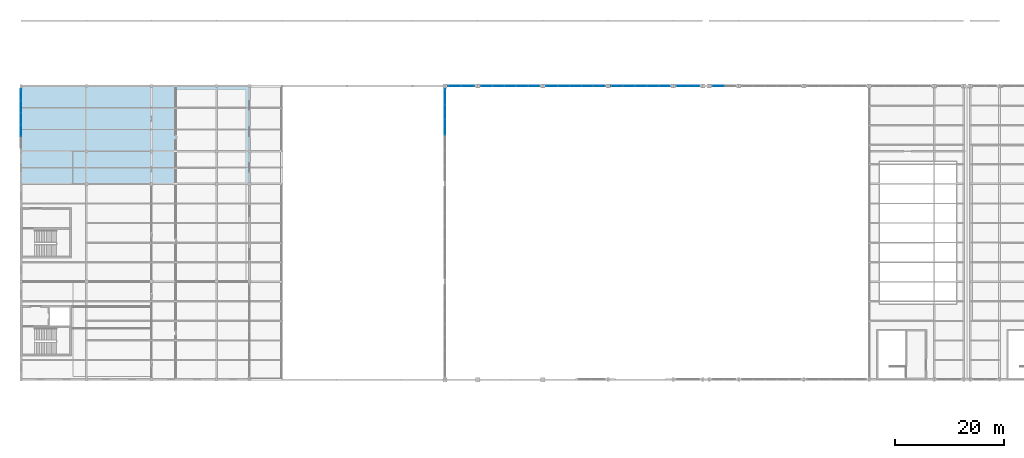
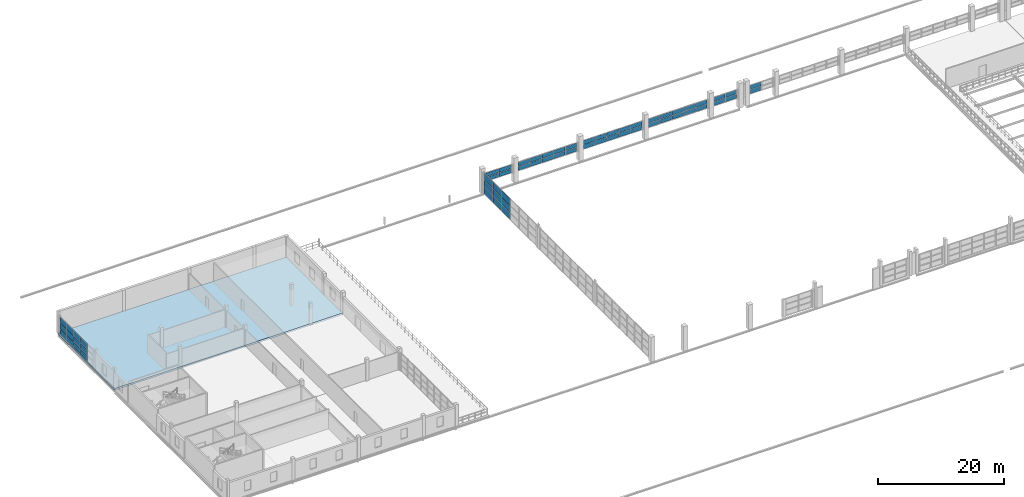
# One storey, part 74 of 86: 61 plates, 1 slab, 8 elements without a shape of their own.
"""IFC4 building model written with IfcOpenShell, lengths in metres."""

from ifc_helpers import new_model, si_unit, direction, frame, origin, origin_2d, place, context, subcontext, project, spatial, polyline, rectangle, outline, extrude, material, layer, layer_set, type_object, element, aggregate, save


model = new_model("IFC4")

# Units and contexts
model_context = context("Model", 3, precision=1e-05, world=origin(), true_north=direction((0.0, 1.0)))
body_context = subcontext(model_context, "Body", "Model", "MODEL_VIEW")
ifc_project = project(units=[si_unit("LENGTHUNIT", "METRE"), si_unit("AREAUNIT", "SQUARE_METRE"), si_unit("VOLUMEUNIT", "CUBIC_METRE"), si_unit("PLANEANGLEUNIT", "RADIAN"), si_unit("MASSUNIT", "GRAM", prefix="KILO")], contexts=[model_context])

# Site, building, storey
site_placement = place(None, origin())
site = spatial("IfcSite", under=ifc_project, at=site_placement, CompositionType="ELEMENT")
building_placement = place(site_placement, origin())
building = spatial("IfcBuilding", under=site, at=building_placement, Name="Zilviju Railside Exhibition Hall", CompositionType="ELEMENT")
storey_placement = place(building_placement, frame((0.0, 0.0, 12.60009765625)))
storey = spatial("IfcBuildingStorey", under=building, at=storey_placement, Name="L04", CompositionType="ELEMENT", Elevation=12.60009765625)

# Curtain wall, plates
ifc_material_1 = material(Name="Thermally broken aluminium-steel triple-glazed curtain wall", Category="steel")
ifc_layer_1 = layer(ifc_material_1, 0.179931640625)
ifc_layer_set_1 = layer_set([ifc_layer_1], Name="Thermally broken aluminium-steel triple-glazed curtain wall")
curtain_wall_type_1 = type_object("IfcCurtainWallType", Name="CW-BAY-05", PredefinedType="USERDEFINED", material=ifc_layer_set_1)
curtain_wall_1_placement = place(storey_placement, origin())
curtain_wall_1 = element("IfcCurtainWall", 1, at=curtain_wall_1_placement, inside=storey, type_object=curtain_wall_type_1, Name="North Hall Clerestory Curtain Wall L04 (127..132)", ObjectType="GLAZED CURTAIN WALL", PredefinedType="USERDEFINED")
ifc_material_2 = material(Name="Laminated acoustic double-glazed porch unit", Category="glass")
ifc_layer_2 = layer(ifc_material_2, 0.031982421875)
ifc_layer_set_2 = layer_set([ifc_layer_2], Name="Laminated acoustic double-glazed porch unit")
plate_type_1 = type_object("IfcPlateType", Name="CWP-IGU-32", PredefinedType="CURTAIN_PANEL", material=ifc_layer_set_2)
plate_1_placement = place(storey_placement, frame((128.239990234375, 138.0, 1.85986328125), z_axis=(0.0, 0.0, 1.0), x_axis=(1.0, 0.0, 0.0)))
plate_1 = element("IfcPlate", 2, at=plate_1_placement, type_object=plate_type_1, Name="CW-05 panel 1.1", PredefinedType="CURTAIN_PANEL", context=body_context, shape_type="SweptSolid", body=[
    extrude(rectangle(XDim=2.06005859375, YDim=0.031982421875, at=origin_2d()), origin(), (0.0, 0.0, 1.0), 0.784912109375),
])
plate_2_placement = place(storey_placement, frame((128.239990234375, 138.0, 2.705078125), z_axis=(0.0, 0.0, 1.0), x_axis=(1.0, 0.0, 0.0)))
plate_2 = element("IfcPlate", 3, at=plate_2_placement, type_object=plate_type_1, Name="CW-05 panel 1.2", PredefinedType="CURTAIN_PANEL", context=body_context, shape_type="SweptSolid", body=[
    extrude(rectangle(XDim=2.06005859375, YDim=0.031982421875, at=origin_2d()), origin(), (0.0, 0.0, 1.0), 0.784912109375),
])
aggregate(curtain_wall_1, [plate_1, plate_2])

ifc_layer_3 = layer(ifc_material_1, 0.179931640625)
ifc_layer_set_3 = layer_set([ifc_layer_3], Name="Thermally broken aluminium-steel triple-glazed curtain wall")
curtain_wall_type_2 = type_object("IfcCurtainWallType", Name="CW-BAY-04", PredefinedType="USERDEFINED", material=ifc_layer_set_3)
curtain_wall_2_placement = place(storey_placement, origin())
curtain_wall_2 = element("IfcCurtainWall", 4, at=curtain_wall_2_placement, inside=storey, type_object=curtain_wall_type_2, Name="North Hall Clerestory Curtain Wall L04 (120..125)", ObjectType="GLAZED CURTAIN WALL", PredefinedType="USERDEFINED")
ifc_material_3 = material(Name="Triple-glazed solar-control glass unit", Category="glass")
ifc_layer_4 = layer(ifc_material_3, 0.0380859375)
ifc_layer_set_4 = layer_set([ifc_layer_4], Name="Triple-glazed solar-control glass unit")
plate_type_2 = type_object("IfcPlateType", Name="CWP-IGU-38", PredefinedType="CURTAIN_PANEL", material=ifc_layer_set_4)
plate_3_placement = place(storey_placement, frame((121.641357421875, 138.0, 1.86474609375), z_axis=(0.0, 0.0, 1.0), x_axis=(1.0, 0.0, 0.0)))
plate_3 = element("IfcPlate", 5, at=plate_3_placement, type_object=plate_type_2, Name="CW-04 panel 1.1", PredefinedType="CURTAIN_PANEL", context=body_context, shape_type="SweptSolid", body=[
    extrude(rectangle(XDim=2.052490234375, YDim=0.0380859375, at=origin_2d()), origin(), (0.0, 0.0, 1.0), 0.777587890625),
])
plate_4_placement = place(storey_placement, frame((121.641357421875, 138.0, 2.70751953125), z_axis=(0.0, 0.0, 1.0), x_axis=(1.0, 0.0, 0.0)))
plate_4 = element("IfcPlate", 6, at=plate_4_placement, type_object=plate_type_2, Name="CW-04 panel 1.2", PredefinedType="CURTAIN_PANEL", context=body_context, shape_type="SweptSolid", body=[
    extrude(rectangle(XDim=2.052490234375, YDim=0.0380859375, at=origin_2d()), origin(), (0.0, 0.0, 1.0), 0.777587890625),
])
plate_5_placement = place(storey_placement, frame((123.7587890625, 138.0, 1.86474609375), z_axis=(0.0, 0.0, 1.0), x_axis=(1.0, 0.0, 0.0)))
plate_5 = element("IfcPlate", 7, at=plate_5_placement, type_object=plate_type_2, Name="CW-04 panel 2.1", PredefinedType="CURTAIN_PANEL", context=body_context, shape_type="SweptSolid", body=[
    extrude(rectangle(XDim=2.052490234375, YDim=0.0380859375, at=origin_2d()), origin(), (0.0, 0.0, 1.0), 0.777587890625),
])
plate_6_placement = place(storey_placement, frame((123.7587890625, 138.0, 2.70751953125), z_axis=(0.0, 0.0, 1.0), x_axis=(1.0, 0.0, 0.0)))
plate_6 = element("IfcPlate", 8, at=plate_6_placement, type_object=plate_type_2, Name="CW-04 panel 2.2", PredefinedType="CURTAIN_PANEL", context=body_context, shape_type="SweptSolid", body=[
    extrude(rectangle(XDim=2.052490234375, YDim=0.0380859375, at=origin_2d()), origin(), (0.0, 0.0, 1.0), 0.777587890625),
])
aggregate(curtain_wall_2, [plate_3, plate_4, plate_5, plate_6])

ifc_layer_5 = layer(ifc_material_1, 0.179931640625)
ifc_layer_set_5 = layer_set([ifc_layer_5], Name="Thermally broken aluminium-steel triple-glazed curtain wall")
curtain_wall_type_3 = type_object("IfcCurtainWallType", Name="CW-BAY-02", PredefinedType="USERDEFINED", material=ifc_layer_set_5)
curtain_wall_3_placement = place(storey_placement, origin())
curtain_wall_3 = element("IfcCurtainWall", 9, at=curtain_wall_3_placement, inside=storey, type_object=curtain_wall_type_3, Name="North Hall Clerestory Curtain Wall L04 (96..108)", ObjectType="GLAZED CURTAIN WALL", PredefinedType="USERDEFINED")
ifc_material_4 = material(Name="Triple-glazed low-E argon insulating glass unit", Category="glass")
ifc_layer_6 = layer(ifc_material_4, 0.0439453125)
ifc_layer_set_6 = layer_set([ifc_layer_6], Name="Triple-glazed low-E argon insulating glass unit")
plate_type_3 = type_object("IfcPlateType", Name="CWP-IGU-44", PredefinedType="CURTAIN_PANEL", material=ifc_layer_set_6)
plate_7_placement = place(storey_placement, frame((97.65380859375, 138.0, 1.85498046875), z_axis=(0.0, 0.0, 1.0), x_axis=(1.0, 0.0, 0.0)))
plate_7 = element("IfcPlate", 10, at=plate_7_placement, type_object=plate_type_3, Name="CW-02 panel 1.1", PredefinedType="CURTAIN_PANEL", context=body_context, shape_type="SweptSolid", body=[
    extrude(rectangle(XDim=2.097412109375, YDim=0.0439453125, at=origin_2d()), origin(), (0.0, 0.0, 1.0), 0.79248046875),
])
plate_8_placement = place(storey_placement, frame((97.65380859375, 138.0, 2.702392578125), z_axis=(0.0, 0.0, 1.0), x_axis=(1.0, 0.0, 0.0)))
plate_8 = element("IfcPlate", 11, at=plate_8_placement, type_object=plate_type_3, Name="CW-02 panel 1.2", PredefinedType="CURTAIN_PANEL", context=body_context, shape_type="SweptSolid", body=[
    extrude(rectangle(XDim=2.097412109375, YDim=0.0439453125, at=origin_2d()), origin(), (0.0, 0.0, 1.0), 0.79248046875),
])
plate_9_placement = place(storey_placement, frame((99.820068359375, 138.0, 1.85498046875), z_axis=(0.0, 0.0, 1.0), x_axis=(1.0, 0.0, 0.0)))
plate_9 = element("IfcPlate", 12, at=plate_9_placement, type_object=plate_type_3, Name="CW-02 panel 2.1", PredefinedType="CURTAIN_PANEL", context=body_context, shape_type="SweptSolid", body=[
    extrude(rectangle(XDim=2.125, YDim=0.0439453125, at=origin_2d()), origin(), (0.0, 0.0, 1.0), 0.79248046875),
])
plate_10_placement = place(storey_placement, frame((99.820068359375, 138.0, 2.702392578125), z_axis=(0.0, 0.0, 1.0), x_axis=(1.0, 0.0, 0.0)))
plate_10 = element("IfcPlate", 13, at=plate_10_placement, type_object=plate_type_3, Name="CW-02 panel 2.2", PredefinedType="CURTAIN_PANEL", context=body_context, shape_type="SweptSolid", body=[
    extrude(rectangle(XDim=2.125, YDim=0.0439453125, at=origin_2d()), origin(), (0.0, 0.0, 1.0), 0.79248046875),
])
plate_11_placement = place(storey_placement, frame((102.0, 138.0, 1.85498046875), z_axis=(0.0, 0.0, 1.0), x_axis=(1.0, 0.0, 0.0)))
plate_11 = element("IfcPlate", 14, at=plate_11_placement, type_object=plate_type_3, Name="CW-02 panel 3.1", PredefinedType="CURTAIN_PANEL", context=body_context, shape_type="SweptSolid", body=[
    extrude(rectangle(XDim=2.125, YDim=0.0439453125, at=origin_2d()), origin(), (0.0, 0.0, 1.0), 0.79248046875),
])
plate_12_placement = place(storey_placement, frame((102.0, 138.0, 2.702392578125), z_axis=(0.0, 0.0, 1.0), x_axis=(1.0, 0.0, 0.0)))
plate_12 = element("IfcPlate", 15, at=plate_12_placement, type_object=plate_type_3, Name="CW-02 panel 3.2", PredefinedType="CURTAIN_PANEL", context=body_context, shape_type="SweptSolid", body=[
    extrude(rectangle(XDim=2.125, YDim=0.0439453125, at=origin_2d()), origin(), (0.0, 0.0, 1.0), 0.79248046875),
])
plate_13_placement = place(storey_placement, frame((104.179931640625, 138.0, 1.85498046875), z_axis=(0.0, 0.0, 1.0), x_axis=(1.0, 0.0, 0.0)))
plate_13 = element("IfcPlate", 16, at=plate_13_placement, type_object=plate_type_3, Name="CW-02 panel 4.1", PredefinedType="CURTAIN_PANEL", context=body_context, shape_type="SweptSolid", body=[
    extrude(rectangle(XDim=2.125, YDim=0.0439453125, at=origin_2d()), origin(), (0.0, 0.0, 1.0), 0.79248046875),
])
plate_14_placement = place(storey_placement, frame((104.179931640625, 138.0, 2.702392578125), z_axis=(0.0, 0.0, 1.0), x_axis=(1.0, 0.0, 0.0)))
plate_14 = element("IfcPlate", 17, at=plate_14_placement, type_object=plate_type_3, Name="CW-02 panel 4.2", PredefinedType="CURTAIN_PANEL", context=body_context, shape_type="SweptSolid", body=[
    extrude(rectangle(XDim=2.125, YDim=0.0439453125, at=origin_2d()), origin(), (0.0, 0.0, 1.0), 0.79248046875),
])
plate_15_placement = place(storey_placement, frame((106.34619140625, 138.0, 1.85498046875), z_axis=(0.0, 0.0, 1.0), x_axis=(1.0, 0.0, 0.0)))
plate_15 = element("IfcPlate", 18, at=plate_15_placement, type_object=plate_type_3, Name="CW-02 panel 5.1", PredefinedType="CURTAIN_PANEL", context=body_context, shape_type="SweptSolid", body=[
    extrude(rectangle(XDim=2.097412109375, YDim=0.0439453125, at=origin_2d()), origin(), (0.0, 0.0, 1.0), 0.79248046875),
])
plate_16_placement = place(storey_placement, frame((106.34619140625, 138.0, 2.702392578125), z_axis=(0.0, 0.0, 1.0), x_axis=(1.0, 0.0, 0.0)))
plate_16 = element("IfcPlate", 19, at=plate_16_placement, type_object=plate_type_3, Name="CW-02 panel 5.2", PredefinedType="CURTAIN_PANEL", context=body_context, shape_type="SweptSolid", body=[
    extrude(rectangle(XDim=2.097412109375, YDim=0.0439453125, at=origin_2d()), origin(), (0.0, 0.0, 1.0), 0.79248046875),
])
aggregate(curtain_wall_3, [plate_7, plate_8, plate_9, plate_10, plate_11, plate_12, plate_13, plate_14, plate_15, plate_16])

ifc_layer_7 = layer(ifc_material_1, 0.179931640625)
ifc_layer_set_7 = layer_set([ifc_layer_7], Name="Thermally broken aluminium-steel triple-glazed curtain wall")
curtain_wall_type_4 = type_object("IfcCurtainWallType", Name="CW-BAY-03", PredefinedType="USERDEFINED", material=ifc_layer_set_7)
curtain_wall_4_placement = place(storey_placement, origin())
curtain_wall_4 = element("IfcCurtainWall", 20, at=curtain_wall_4_placement, inside=storey, type_object=curtain_wall_type_4, Name="North Hall Clerestory Curtain Wall L04 (108..120)", ObjectType="GLAZED CURTAIN WALL", PredefinedType="USERDEFINED")
plate_17_placement = place(storey_placement, frame((109.657470703125, 138.0, 1.869873046875), z_axis=(0.0, 0.0, 1.0), x_axis=(1.0, 0.0, 0.0)))
plate_17 = element("IfcPlate", 21, at=plate_17_placement, type_object=plate_type_3, Name="CW-03 panel 1.1", PredefinedType="CURTAIN_PANEL", context=body_context, shape_type="SweptSolid", body=[
    extrude(rectangle(XDim=2.074951171875, YDim=0.0439453125, at=origin_2d()), origin(), (0.0, 0.0, 1.0), 0.77001953125),
])
plate_18_placement = place(storey_placement, frame((109.657470703125, 138.0, 2.7099609375), z_axis=(0.0, 0.0, 1.0), x_axis=(1.0, 0.0, 0.0)))
plate_18 = element("IfcPlate", 22, at=plate_18_placement, type_object=plate_type_3, Name="CW-03 panel 1.2", PredefinedType="CURTAIN_PANEL", context=body_context, shape_type="SweptSolid", body=[
    extrude(rectangle(XDim=2.074951171875, YDim=0.0439453125, at=origin_2d()), origin(), (0.0, 0.0, 1.0), 0.77001953125),
])
plate_19_placement = place(storey_placement, frame((111.820068359375, 138.0, 1.869873046875), z_axis=(0.0, 0.0, 1.0), x_axis=(1.0, 0.0, 0.0)))
plate_19 = element("IfcPlate", 23, at=plate_19_placement, type_object=plate_type_3, Name="CW-03 panel 2.1", PredefinedType="CURTAIN_PANEL", context=body_context, shape_type="SweptSolid", body=[
    extrude(rectangle(XDim=2.110107421875, YDim=0.0439453125, at=origin_2d()), origin(), (0.0, 0.0, 1.0), 0.77001953125),
])
plate_20_placement = place(storey_placement, frame((111.820068359375, 138.0, 2.7099609375), z_axis=(0.0, 0.0, 1.0), x_axis=(1.0, 0.0, 0.0)))
plate_20 = element("IfcPlate", 24, at=plate_20_placement, type_object=plate_type_3, Name="CW-03 panel 2.2", PredefinedType="CURTAIN_PANEL", context=body_context, shape_type="SweptSolid", body=[
    extrude(rectangle(XDim=2.110107421875, YDim=0.0439453125, at=origin_2d()), origin(), (0.0, 0.0, 1.0), 0.77001953125),
])
plate_21_placement = place(storey_placement, frame((114.0, 138.0, 1.869873046875), z_axis=(0.0, 0.0, 1.0), x_axis=(1.0, 0.0, 0.0)))
plate_21 = element("IfcPlate", 25, at=plate_21_placement, type_object=plate_type_3, Name="CW-03 panel 3.1", PredefinedType="CURTAIN_PANEL", context=body_context, shape_type="SweptSolid", body=[
    extrude(rectangle(XDim=2.110107421875, YDim=0.0439453125, at=origin_2d()), origin(), (0.0, 0.0, 1.0), 0.77001953125),
])
plate_22_placement = place(storey_placement, frame((114.0, 138.0, 2.7099609375), z_axis=(0.0, 0.0, 1.0), x_axis=(1.0, 0.0, 0.0)))
plate_22 = element("IfcPlate", 26, at=plate_22_placement, type_object=plate_type_3, Name="CW-03 panel 3.2", PredefinedType="CURTAIN_PANEL", context=body_context, shape_type="SweptSolid", body=[
    extrude(rectangle(XDim=2.110107421875, YDim=0.0439453125, at=origin_2d()), origin(), (0.0, 0.0, 1.0), 0.77001953125),
])
plate_23_placement = place(storey_placement, frame((116.179931640625, 138.0, 1.869873046875), z_axis=(0.0, 0.0, 1.0), x_axis=(1.0, 0.0, 0.0)))
plate_23 = element("IfcPlate", 27, at=plate_23_placement, type_object=plate_type_3, Name="CW-03 panel 4.1", PredefinedType="CURTAIN_PANEL", context=body_context, shape_type="SweptSolid", body=[
    extrude(rectangle(XDim=2.110107421875, YDim=0.0439453125, at=origin_2d()), origin(), (0.0, 0.0, 1.0), 0.77001953125),
])
plate_24_placement = place(storey_placement, frame((116.179931640625, 138.0, 2.7099609375), z_axis=(0.0, 0.0, 1.0), x_axis=(1.0, 0.0, 0.0)))
plate_24 = element("IfcPlate", 28, at=plate_24_placement, type_object=plate_type_3, Name="CW-03 panel 4.2", PredefinedType="CURTAIN_PANEL", context=body_context, shape_type="SweptSolid", body=[
    extrude(rectangle(XDim=2.110107421875, YDim=0.0439453125, at=origin_2d()), origin(), (0.0, 0.0, 1.0), 0.77001953125),
])
plate_25_placement = place(storey_placement, frame((118.342529296875, 138.0, 1.869873046875), z_axis=(0.0, 0.0, 1.0), x_axis=(1.0, 0.0, 0.0)))
plate_25 = element("IfcPlate", 29, at=plate_25_placement, type_object=plate_type_3, Name="CW-03 panel 5.1", PredefinedType="CURTAIN_PANEL", context=body_context, shape_type="SweptSolid", body=[
    extrude(rectangle(XDim=2.074951171875, YDim=0.0439453125, at=origin_2d()), origin(), (0.0, 0.0, 1.0), 0.77001953125),
])
plate_26_placement = place(storey_placement, frame((118.342529296875, 138.0, 2.7099609375), z_axis=(0.0, 0.0, 1.0), x_axis=(1.0, 0.0, 0.0)))
plate_26 = element("IfcPlate", 30, at=plate_26_placement, type_object=plate_type_3, Name="CW-03 panel 5.2", PredefinedType="CURTAIN_PANEL", context=body_context, shape_type="SweptSolid", body=[
    extrude(rectangle(XDim=2.074951171875, YDim=0.0439453125, at=origin_2d()), origin(), (0.0, 0.0, 1.0), 0.77001953125),
])
aggregate(curtain_wall_4, [plate_17, plate_18, plate_19, plate_20, plate_21, plate_22, plate_23, plate_24, plate_25, plate_26])

ifc_layer_8 = layer(ifc_material_1, 0.179931640625)
ifc_layer_set_8 = layer_set([ifc_layer_8], Name="Thermally broken aluminium-steel triple-glazed curtain wall")
curtain_wall_type_5 = type_object("IfcCurtainWallType", Name="CW-BAY-20", PredefinedType="USERDEFINED", material=ifc_layer_set_8)
curtain_wall_5_placement = place(storey_placement, origin())
curtain_wall_5 = element("IfcCurtainWall", 31, at=curtain_wall_5_placement, inside=storey, type_object=curtain_wall_type_5, Name="North Hall Clerestory Curtain Wall L04 (78..84)", ObjectType="GLAZED CURTAIN WALL", PredefinedType="USERDEFINED")
ifc_material_5 = material(Name="Insulated cobalt-blue enamelled spandrel glass panel", Category="glass")
ifc_layer_9 = layer(ifc_material_5, 0.052001953125)
ifc_layer_set_9 = layer_set([ifc_layer_9], Name="Insulated cobalt-blue enamelled spandrel glass panel")
plate_type_4 = type_object("IfcPlateType", Name="CWP-SPD-52", PredefinedType="CURTAIN_PANEL", material=ifc_layer_set_9)
plate_27_placement = place(storey_placement, frame((79.794921875, 138.0, 1.8798828125), z_axis=(0.0, 0.0, 1.0), x_axis=(1.0, 0.0, 0.0)))
plate_27 = element("IfcPlate", 32, at=plate_27_placement, type_object=plate_type_4, Name="CW-20 panel 1.1", PredefinedType="CURTAIN_PANEL", context=body_context, shape_type="SweptSolid", body=[
    extrude(rectangle(XDim=2.330078125, YDim=0.052001953125, at=origin_2d()), origin(), (0.0, 0.0, 1.0), 0.7548828125),
])
plate_28_placement = place(storey_placement, frame((79.794921875, 138.0, 2.71484375), z_axis=(0.0, 0.0, 1.0), x_axis=(1.0, 0.0, 0.0)))
plate_28 = element("IfcPlate", 33, at=plate_28_placement, type_object=plate_type_4, Name="CW-20 panel 1.2", PredefinedType="CURTAIN_PANEL", context=body_context, shape_type="SweptSolid", body=[
    extrude(rectangle(XDim=2.330078125, YDim=0.052001953125, at=origin_2d()), origin(), (0.0, 0.0, 1.0), 0.7548828125),
])
plate_29_placement = place(storey_placement, frame((82.205078125, 138.0, 1.8798828125), z_axis=(0.0, 0.0, 1.0), x_axis=(1.0, 0.0, 0.0)))
plate_29 = element("IfcPlate", 34, at=plate_29_placement, type_object=plate_type_4, Name="CW-20 panel 2.1", PredefinedType="CURTAIN_PANEL", context=body_context, shape_type="SweptSolid", body=[
    extrude(rectangle(XDim=2.330078125, YDim=0.052001953125, at=origin_2d()), origin(), (0.0, 0.0, 1.0), 0.7548828125),
])
plate_30_placement = place(storey_placement, frame((82.205078125, 138.0, 2.71484375), z_axis=(0.0, 0.0, 1.0), x_axis=(1.0, 0.0, 0.0)))
plate_30 = element("IfcPlate", 35, at=plate_30_placement, type_object=plate_type_4, Name="CW-20 panel 2.2", PredefinedType="CURTAIN_PANEL", context=body_context, shape_type="SweptSolid", body=[
    extrude(rectangle(XDim=2.330078125, YDim=0.052001953125, at=origin_2d()), origin(), (0.0, 0.0, 1.0), 0.7548828125),
])
aggregate(curtain_wall_5, [plate_27, plate_28, plate_29, plate_30])

ifc_layer_10 = layer(ifc_material_1, 0.179931640625)
ifc_layer_set_10 = layer_set([ifc_layer_10], Name="Thermally broken aluminium-steel triple-glazed curtain wall")
curtain_wall_type_6 = type_object("IfcCurtainWallType", Name="CW-BAY-18", PredefinedType="USERDEFINED", material=ifc_layer_set_10)
curtain_wall_6_placement = place(storey_placement, origin())
curtain_wall_6 = element("IfcCurtainWall", 36, at=curtain_wall_6_placement, inside=storey, type_object=curtain_wall_type_6, Name="North Hall West Upper Glazed Gable (120..138)", ObjectType="GLAZED CURTAIN WALL", PredefinedType="USERDEFINED")
plate_31_placement = place(storey_placement, frame((78.0, 130.408447265625, 0.080078125), z_axis=(0.0, 0.0, 1.0), x_axis=(0.0, 1.0, 0.0)))
plate_31 = element("IfcPlate", 37, at=plate_31_placement, type_object=plate_type_4, Name="CW-18 panel 4.1", PredefinedType="CURTAIN_PANEL", context=body_context, shape_type="SweptSolid", body=[
    extrude(rectangle(XDim=2.736572265625, YDim=0.052001953125, at=origin_2d()), origin(), (0.0, 0.0, 1.0), 1.280029296875),
])
plate_32_placement = place(storey_placement, frame((78.0, 130.408447265625, 1.43994140625), z_axis=(0.0, 0.0, 1.0), x_axis=(0.0, 1.0, 0.0)))
plate_32 = element("IfcPlate", 38, at=plate_32_placement, type_object=plate_type_4, Name="CW-18 panel 4.2", PredefinedType="CURTAIN_PANEL", context=body_context, shape_type="SweptSolid", body=[
    extrude(rectangle(XDim=2.736572265625, YDim=0.052001953125, at=origin_2d()), origin(), (0.0, 0.0, 1.0), 1.320068359375),
])
plate_33_placement = place(storey_placement, frame((78.0, 130.408447265625, 2.83984375), z_axis=(0.0, 0.0, 1.0), x_axis=(0.0, 1.0, 0.0)))
plate_33 = element("IfcPlate", 39, at=plate_33_placement, type_object=plate_type_4, Name="CW-18 panel 4.3", PredefinedType="CURTAIN_PANEL", context=body_context, shape_type="SweptSolid", body=[
    extrude(rectangle(XDim=2.736572265625, YDim=0.052001953125, at=origin_2d()), origin(), (0.0, 0.0, 1.0), 1.280029296875),
])
plate_34_placement = place(storey_placement, frame((78.0, 133.22509765625, 0.080078125), z_axis=(0.0, 0.0, 1.0), x_axis=(0.0, 1.0, 0.0)))
plate_34 = element("IfcPlate", 40, at=plate_34_placement, type_object=plate_type_4, Name="CW-18 panel 5.1", PredefinedType="CURTAIN_PANEL", context=body_context, shape_type="SweptSolid", body=[
    extrude(rectangle(XDim=2.736572265625, YDim=0.052001953125, at=origin_2d()), origin(), (0.0, 0.0, 1.0), 1.280029296875),
])
plate_35_placement = place(storey_placement, frame((78.0, 133.22509765625, 1.43994140625), z_axis=(0.0, 0.0, 1.0), x_axis=(0.0, 1.0, 0.0)))
plate_35 = element("IfcPlate", 41, at=plate_35_placement, type_object=plate_type_4, Name="CW-18 panel 5.2", PredefinedType="CURTAIN_PANEL", context=body_context, shape_type="SweptSolid", body=[
    extrude(rectangle(XDim=2.736572265625, YDim=0.052001953125, at=origin_2d()), origin(), (0.0, 0.0, 1.0), 1.320068359375),
])
plate_36_placement = place(storey_placement, frame((78.0, 133.22509765625, 2.83984375), z_axis=(0.0, 0.0, 1.0), x_axis=(0.0, 1.0, 0.0)))
plate_36 = element("IfcPlate", 42, at=plate_36_placement, type_object=plate_type_4, Name="CW-18 panel 5.3", PredefinedType="CURTAIN_PANEL", context=body_context, shape_type="SweptSolid", body=[
    extrude(rectangle(XDim=2.736572265625, YDim=0.052001953125, at=origin_2d()), origin(), (0.0, 0.0, 1.0), 1.280029296875),
])
plate_37_placement = place(storey_placement, frame((78.0, 136.021728515625, 0.080078125), z_axis=(0.0, 0.0, 1.0), x_axis=(0.0, 1.0, 0.0)))
plate_37 = element("IfcPlate", 43, at=plate_37_placement, type_object=plate_type_4, Name="CW-18 panel 6.1", PredefinedType="CURTAIN_PANEL", context=body_context, shape_type="SweptSolid", body=[
    extrude(rectangle(XDim=2.69677734375, YDim=0.052001953125, at=origin_2d()), origin(), (0.0, 0.0, 1.0), 1.280029296875),
])
plate_38_placement = place(storey_placement, frame((78.0, 136.021728515625, 1.43994140625), z_axis=(0.0, 0.0, 1.0), x_axis=(0.0, 1.0, 0.0)))
plate_38 = element("IfcPlate", 44, at=plate_38_placement, type_object=plate_type_4, Name="CW-18 panel 6.2", PredefinedType="CURTAIN_PANEL", context=body_context, shape_type="SweptSolid", body=[
    extrude(rectangle(XDim=2.69677734375, YDim=0.052001953125, at=origin_2d()), origin(), (0.0, 0.0, 1.0), 1.320068359375),
])
plate_39_placement = place(storey_placement, frame((78.0, 136.021728515625, 2.83984375), z_axis=(0.0, 0.0, 1.0), x_axis=(0.0, 1.0, 0.0)))
plate_39 = element("IfcPlate", 45, at=plate_39_placement, type_object=plate_type_4, Name="CW-18 panel 6.3", PredefinedType="CURTAIN_PANEL", context=body_context, shape_type="SweptSolid", body=[
    extrude(rectangle(XDim=2.69677734375, YDim=0.052001953125, at=origin_2d()), origin(), (0.0, 0.0, 1.0), 1.280029296875),
])
aggregate(curtain_wall_6, [plate_31, plate_32, plate_33, plate_34, plate_35, plate_36, plate_37, plate_38, plate_39])

ifc_layer_11 = layer(ifc_material_1, 0.179931640625)
ifc_layer_set_11 = layer_set([ifc_layer_11], Name="Thermally broken aluminium-steel triple-glazed curtain wall")
curtain_wall_type_7 = type_object("IfcCurtainWallType", Name="CW-BAY-06", PredefinedType="USERDEFINED", material=ifc_layer_set_11)
curtain_wall_7_placement = place(storey_placement, origin())
curtain_wall_7 = element("IfcCurtainWall", 46, at=curtain_wall_7_placement, inside=storey, type_object=curtain_wall_type_7, Name="Organisers Wing Jugendstils Erkeri Curtain Wall L04", ObjectType="GLAZED CURTAIN WALL", PredefinedType="USERDEFINED")
plate_40_placement = place(storey_placement, frame((0.0, 129.820068359375, 0.080078125), z_axis=(0.0, 0.0, 1.0), x_axis=(0.0, 1.0, 0.0)))
plate_40 = element("IfcPlate", 47, at=plate_40_placement, type_object=plate_type_4, Name="CW-06 panel 2.1", PredefinedType="CURTAIN_PANEL", context=body_context, shape_type="SweptSolid", body=[
    extrude(rectangle(XDim=2.10009765625, YDim=0.052001953125, at=origin_2d()), origin(), (0.0, 0.0, 1.0), 1.047119140625),
])
plate_41_placement = place(storey_placement, frame((0.0, 129.820068359375, 1.20703125), z_axis=(0.0, 0.0, 1.0), x_axis=(0.0, 1.0, 0.0)))
plate_41 = element("IfcPlate", 48, at=plate_41_placement, type_object=plate_type_4, Name="CW-06 panel 2.2", PredefinedType="CURTAIN_PANEL", context=body_context, shape_type="SweptSolid", body=[
    extrude(rectangle(XDim=2.10009765625, YDim=0.052001953125, at=origin_2d()), origin(), (0.0, 0.0, 1.0), 1.0859375),
])
plate_42_placement = place(storey_placement, frame((0.0, 129.820068359375, 2.373046875), z_axis=(0.0, 0.0, 1.0), x_axis=(0.0, 1.0, 0.0)))
plate_42 = element("IfcPlate", 49, at=plate_42_placement, type_object=plate_type_4, Name="CW-06 panel 2.3", PredefinedType="CURTAIN_PANEL", context=body_context, shape_type="SweptSolid", body=[
    extrude(rectangle(XDim=2.10009765625, YDim=0.052001953125, at=origin_2d()), origin(), (0.0, 0.0, 1.0), 1.047119140625),
])
plate_43_placement = place(storey_placement, frame((0.0, 132.0, 0.080078125), z_axis=(0.0, 0.0, 1.0), x_axis=(0.0, 1.0, 0.0)))
plate_43 = element("IfcPlate", 50, at=plate_43_placement, type_object=plate_type_4, Name="CW-06 panel 3.1", PredefinedType="CURTAIN_PANEL", context=body_context, shape_type="SweptSolid", body=[
    extrude(rectangle(XDim=2.10009765625, YDim=0.052001953125, at=origin_2d()), origin(), (0.0, 0.0, 1.0), 1.047119140625),
])
plate_44_placement = place(storey_placement, frame((0.0, 132.0, 1.20703125), z_axis=(0.0, 0.0, 1.0), x_axis=(0.0, 1.0, 0.0)))
plate_44 = element("IfcPlate", 51, at=plate_44_placement, type_object=plate_type_4, Name="CW-06 panel 3.2", PredefinedType="CURTAIN_PANEL", context=body_context, shape_type="SweptSolid", body=[
    extrude(rectangle(XDim=2.10009765625, YDim=0.052001953125, at=origin_2d()), origin(), (0.0, 0.0, 1.0), 1.0859375),
])
plate_45_placement = place(storey_placement, frame((0.0, 132.0, 2.373046875), z_axis=(0.0, 0.0, 1.0), x_axis=(0.0, 1.0, 0.0)))
plate_45 = element("IfcPlate", 52, at=plate_45_placement, type_object=plate_type_4, Name="CW-06 panel 3.3", PredefinedType="CURTAIN_PANEL", context=body_context, shape_type="SweptSolid", body=[
    extrude(rectangle(XDim=2.10009765625, YDim=0.052001953125, at=origin_2d()), origin(), (0.0, 0.0, 1.0), 1.047119140625),
])
plate_46_placement = place(storey_placement, frame((0.0, 134.179931640625, 0.080078125), z_axis=(0.0, 0.0, 1.0), x_axis=(0.0, 1.0, 0.0)))
plate_46 = element("IfcPlate", 53, at=plate_46_placement, type_object=plate_type_4, Name="CW-06 panel 4.1", PredefinedType="CURTAIN_PANEL", context=body_context, shape_type="SweptSolid", body=[
    extrude(rectangle(XDim=2.10009765625, YDim=0.052001953125, at=origin_2d()), origin(), (0.0, 0.0, 1.0), 1.047119140625),
])
plate_47_placement = place(storey_placement, frame((0.0, 134.179931640625, 1.20703125), z_axis=(0.0, 0.0, 1.0), x_axis=(0.0, 1.0, 0.0)))
plate_47 = element("IfcPlate", 54, at=plate_47_placement, type_object=plate_type_4, Name="CW-06 panel 4.2", PredefinedType="CURTAIN_PANEL", context=body_context, shape_type="SweptSolid", body=[
    extrude(rectangle(XDim=2.10009765625, YDim=0.052001953125, at=origin_2d()), origin(), (0.0, 0.0, 1.0), 1.0859375),
])
plate_48_placement = place(storey_placement, frame((0.0, 134.179931640625, 2.373046875), z_axis=(0.0, 0.0, 1.0), x_axis=(0.0, 1.0, 0.0)))
plate_48 = element("IfcPlate", 55, at=plate_48_placement, type_object=plate_type_4, Name="CW-06 panel 4.3", PredefinedType="CURTAIN_PANEL", context=body_context, shape_type="SweptSolid", body=[
    extrude(rectangle(XDim=2.10009765625, YDim=0.052001953125, at=origin_2d()), origin(), (0.0, 0.0, 1.0), 1.047119140625),
])
plate_49_placement = place(storey_placement, frame((0.0, 136.340087890625, 0.080078125), z_axis=(0.0, 0.0, 1.0), x_axis=(0.0, 1.0, 0.0)))
plate_49 = element("IfcPlate", 56, at=plate_49_placement, type_object=plate_type_4, Name="CW-06 panel 5.1", PredefinedType="CURTAIN_PANEL", context=body_context, shape_type="SweptSolid", body=[
    extrude(rectangle(XDim=2.06005859375, YDim=0.052001953125, at=origin_2d()), origin(), (0.0, 0.0, 1.0), 1.047119140625),
])
plate_50_placement = place(storey_placement, frame((0.0, 136.340087890625, 1.20703125), z_axis=(0.0, 0.0, 1.0), x_axis=(0.0, 1.0, 0.0)))
plate_50 = element("IfcPlate", 57, at=plate_50_placement, type_object=plate_type_4, Name="CW-06 panel 5.2", PredefinedType="CURTAIN_PANEL", context=body_context, shape_type="SweptSolid", body=[
    extrude(rectangle(XDim=2.06005859375, YDim=0.052001953125, at=origin_2d()), origin(), (0.0, 0.0, 1.0), 1.0859375),
])
plate_51_placement = place(storey_placement, frame((0.0, 136.340087890625, 2.373046875), z_axis=(0.0, 0.0, 1.0), x_axis=(0.0, 1.0, 0.0)))
plate_51 = element("IfcPlate", 58, at=plate_51_placement, type_object=plate_type_4, Name="CW-06 panel 5.3", PredefinedType="CURTAIN_PANEL", context=body_context, shape_type="SweptSolid", body=[
    extrude(rectangle(XDim=2.06005859375, YDim=0.052001953125, at=origin_2d()), origin(), (0.0, 0.0, 1.0), 1.047119140625),
])
aggregate(curtain_wall_7, [plate_40, plate_41, plate_42, plate_43, plate_44, plate_45, plate_46, plate_47, plate_48, plate_49, plate_50, plate_51])

ifc_layer_12 = layer(ifc_material_1, 0.179931640625)
ifc_layer_set_12 = layer_set([ifc_layer_12], Name="Thermally broken aluminium-steel triple-glazed curtain wall")
curtain_wall_type_8 = type_object("IfcCurtainWallType", Name="CW-BAY-01", PredefinedType="USERDEFINED", material=ifc_layer_set_12)
curtain_wall_8_placement = place(storey_placement, origin())
curtain_wall_8 = element("IfcCurtainWall", 59, at=curtain_wall_8_placement, inside=storey, type_object=curtain_wall_type_8, Name="North Hall Clerestory Curtain Wall L04 (84..96)", ObjectType="GLAZED CURTAIN WALL", PredefinedType="USERDEFINED")
ifc_material_6 = material(Name="Insulated emerald ceramic-frit spandrel panel", Category="glass")
ifc_layer_13 = layer(ifc_material_6, 0.06396484375)
ifc_layer_set_13 = layer_set([ifc_layer_13], Name="Insulated emerald ceramic-frit spandrel panel")
plate_type_5 = type_object("IfcPlateType", Name="CWP-SPD-64", PredefinedType="CURTAIN_PANEL", material=ifc_layer_set_13)
plate_52_placement = place(storey_placement, frame((85.65869140625, 138.0, 1.875), z_axis=(0.0, 0.0, 1.0), x_axis=(1.0, 0.0, 0.0)))
plate_52 = element("IfcPlate", 60, at=plate_52_placement, type_object=plate_type_5, Name="CW-01 panel 1.1", PredefinedType="CURTAIN_PANEL", context=body_context, shape_type="SweptSolid", body=[
    extrude(rectangle(XDim=2.0673828125, YDim=0.06396484375, at=origin_2d()), origin(), (0.0, 0.0, 1.0), 0.762451171875),
])
plate_53_placement = place(storey_placement, frame((85.65869140625, 138.0, 2.71240234375), z_axis=(0.0, 0.0, 1.0), x_axis=(1.0, 0.0, 0.0)))
plate_53 = element("IfcPlate", 61, at=plate_53_placement, type_object=plate_type_5, Name="CW-01 panel 1.2", PredefinedType="CURTAIN_PANEL", context=body_context, shape_type="SweptSolid", body=[
    extrude(rectangle(XDim=2.0673828125, YDim=0.06396484375, at=origin_2d()), origin(), (0.0, 0.0, 1.0), 0.762451171875),
])
plate_54_placement = place(storey_placement, frame((87.820068359375, 138.0, 1.875), z_axis=(0.0, 0.0, 1.0), x_axis=(1.0, 0.0, 0.0)))
plate_54 = element("IfcPlate", 62, at=plate_54_placement, type_object=plate_type_5, Name="CW-01 panel 2.1", PredefinedType="CURTAIN_PANEL", context=body_context, shape_type="SweptSolid", body=[
    extrude(rectangle(XDim=2.10498046875, YDim=0.06396484375, at=origin_2d()), origin(), (0.0, 0.0, 1.0), 0.762451171875),
])
plate_55_placement = place(storey_placement, frame((87.820068359375, 138.0, 2.71240234375), z_axis=(0.0, 0.0, 1.0), x_axis=(1.0, 0.0, 0.0)))
plate_55 = element("IfcPlate", 63, at=plate_55_placement, type_object=plate_type_5, Name="CW-01 panel 2.2", PredefinedType="CURTAIN_PANEL", context=body_context, shape_type="SweptSolid", body=[
    extrude(rectangle(XDim=2.10498046875, YDim=0.06396484375, at=origin_2d()), origin(), (0.0, 0.0, 1.0), 0.762451171875),
])
plate_56_placement = place(storey_placement, frame((90.0, 138.0, 1.875), z_axis=(0.0, 0.0, 1.0), x_axis=(1.0, 0.0, 0.0)))
plate_56 = element("IfcPlate", 64, at=plate_56_placement, type_object=plate_type_5, Name="CW-01 panel 3.1", PredefinedType="CURTAIN_PANEL", context=body_context, shape_type="SweptSolid", body=[
    extrude(rectangle(XDim=2.10498046875, YDim=0.06396484375, at=origin_2d()), origin(), (0.0, 0.0, 1.0), 0.762451171875),
])
plate_57_placement = place(storey_placement, frame((90.0, 138.0, 2.71240234375), z_axis=(0.0, 0.0, 1.0), x_axis=(1.0, 0.0, 0.0)))
plate_57 = element("IfcPlate", 65, at=plate_57_placement, type_object=plate_type_5, Name="CW-01 panel 3.2", PredefinedType="CURTAIN_PANEL", context=body_context, shape_type="SweptSolid", body=[
    extrude(rectangle(XDim=2.10498046875, YDim=0.06396484375, at=origin_2d()), origin(), (0.0, 0.0, 1.0), 0.762451171875),
])
plate_58_placement = place(storey_placement, frame((92.179931640625, 138.0, 1.875), z_axis=(0.0, 0.0, 1.0), x_axis=(1.0, 0.0, 0.0)))
plate_58 = element("IfcPlate", 66, at=plate_58_placement, type_object=plate_type_5, Name="CW-01 panel 4.1", PredefinedType="CURTAIN_PANEL", context=body_context, shape_type="SweptSolid", body=[
    extrude(rectangle(XDim=2.10498046875, YDim=0.06396484375, at=origin_2d()), origin(), (0.0, 0.0, 1.0), 0.762451171875),
])
plate_59_placement = place(storey_placement, frame((92.179931640625, 138.0, 2.71240234375), z_axis=(0.0, 0.0, 1.0), x_axis=(1.0, 0.0, 0.0)))
plate_59 = element("IfcPlate", 67, at=plate_59_placement, type_object=plate_type_5, Name="CW-01 panel 4.2", PredefinedType="CURTAIN_PANEL", context=body_context, shape_type="SweptSolid", body=[
    extrude(rectangle(XDim=2.10498046875, YDim=0.06396484375, at=origin_2d()), origin(), (0.0, 0.0, 1.0), 0.762451171875),
])
plate_60_placement = place(storey_placement, frame((94.34130859375, 138.0, 1.875), z_axis=(0.0, 0.0, 1.0), x_axis=(1.0, 0.0, 0.0)))
plate_60 = element("IfcPlate", 68, at=plate_60_placement, type_object=plate_type_5, Name="CW-01 panel 5.1", PredefinedType="CURTAIN_PANEL", context=body_context, shape_type="SweptSolid", body=[
    extrude(rectangle(XDim=2.0673828125, YDim=0.06396484375, at=origin_2d()), origin(), (0.0, 0.0, 1.0), 0.762451171875),
])
plate_61_placement = place(storey_placement, frame((94.34130859375, 138.0, 2.71240234375), z_axis=(0.0, 0.0, 1.0), x_axis=(1.0, 0.0, 0.0)))
plate_61 = element("IfcPlate", 69, at=plate_61_placement, type_object=plate_type_5, Name="CW-01 panel 5.2", PredefinedType="CURTAIN_PANEL", context=body_context, shape_type="SweptSolid", body=[
    extrude(rectangle(XDim=2.0673828125, YDim=0.06396484375, at=origin_2d()), origin(), (0.0, 0.0, 1.0), 0.762451171875),
])
aggregate(curtain_wall_8, [plate_52, plate_53, plate_54, plate_55, plate_56, plate_57, plate_58, plate_59, plate_60, plate_61])

# Slab
ifc_material_7 = material(Name="Concrete C35/45", Category="concrete")
ifc_layer_14 = layer(ifc_material_7, 0.340087890625)
ifc_layer_set_14 = layer_set([ifc_layer_14], Name="Concrete C35/45")
slab_type = type_object("IfcSlabType", Name="SL-FLR-340", PredefinedType="FLOOR", material=ifc_layer_set_14)
slab_placement = place(storey_placement, frame((0.0, 0.0, -0.340087890625)))
element("IfcSlab", 70, at=slab_placement, inside=storey, type_object=slab_type, Name="Organisers Wing L04 Floor Slab 3", PredefinedType="FLOOR", context=body_context, shape_type="SweptSolid", body=[
    extrude(outline(polyline([(0.0, 120.0), (42.0, 120.0), (42.0, 138.0), (0.0, 138.0), (0.0, 120.0)])), origin(), (0.0, 0.0, 1.0), 0.340087890625),
])

save(model, "model.ifc")
